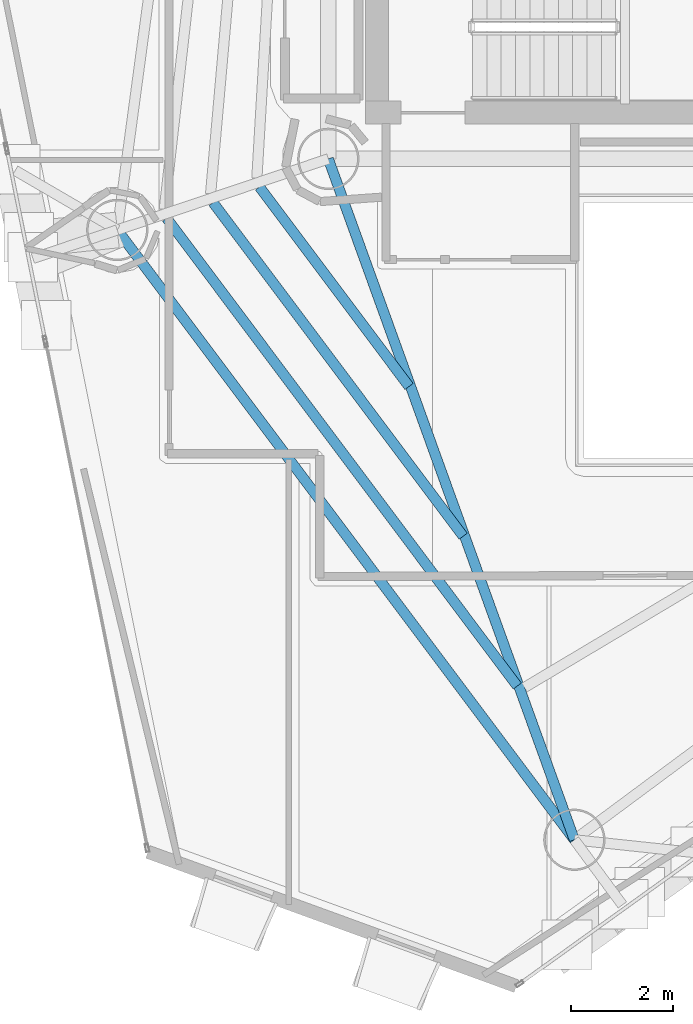
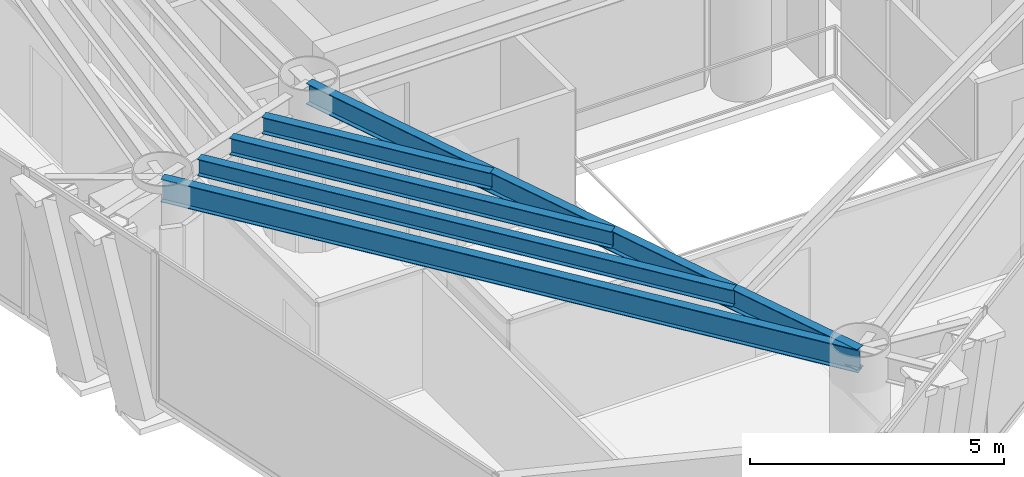
# One storey, part 5 of 22: 5 beams.
"""IFC4 building model written with IfcOpenShell, lengths in metres."""

from ifc_helpers import new_model, si_unit, direction, frame, origin, origin_2d, place, context, subcontext, project, spatial, i_section, extrude, material, material_profile, profile_set, type_object, element, save


model = new_model("IFC4")

# Units and contexts
model_context = context("Model", 3, precision=1e-05, world=origin(), true_north=direction((0.0, 1.0)))
body_context = subcontext(model_context, "Body", "Model", "MODEL_VIEW")
ifc_project = project(units=[si_unit("LENGTHUNIT", "METRE"), si_unit("AREAUNIT", "SQUARE_METRE"), si_unit("VOLUMEUNIT", "CUBIC_METRE"), si_unit("PLANEANGLEUNIT", "RADIAN"), si_unit("MASSUNIT", "GRAM", prefix="KILO")], contexts=[model_context])

# Site, building, storey
site_placement = place(None, origin())
site = spatial("IfcSite", under=ifc_project, at=site_placement, CompositionType="ELEMENT")
building_placement = place(site_placement, origin())
building = spatial("IfcBuilding", under=site, at=building_placement, Name="Qianvela Tower", CompositionType="ELEMENT")
storey_placement = place(building_placement, frame((0.0, 0.0, 204.0)))
storey = spatial("IfcBuildingStorey", under=building, at=storey_placement, Name="L52", CompositionType="ELEMENT", Elevation=204.0)

# Beams
ifc_material_1 = material(Name="Steel Q355B", Category="steel")
ifc_material_profile_1 = material_profile(ifc_material_1, i_section(OverallWidth=0.199951171875, OverallDepth=0.39990234375, WebThickness=0.008056640625, FlangeThickness=0.012939453125, at=origin_2d()), Name="HN400x200x8x13")
ifc_profile_set_1 = profile_set([ifc_material_profile_1], Name="Steel Q355B")
beam_type_1 = type_object("IfcBeamType", Name="BM-HN400-JOIST", PredefinedType="JOIST", material=ifc_profile_set_1)
beam_1_placement = place(storey_placement, frame((27.254150390625, 23.300537109375, 3.318115234375), z_axis=(0.599735620965, -0.800198216035, 0.0), x_axis=(0.800198216035, 0.599735620965, 0.0)))
element("IfcBeam", 1, at=beam_1_placement, inside=storey, type_object=beam_type_1, Name="L52 Secondary Composite Floor Joist 4.1", PredefinedType="JOIST", context=body_context, shape_type="SweptSolid", body=[
    extrude(i_section(OverallWidth=0.199951171875, OverallDepth=0.39990234375, WebThickness=0.008056640625, FlangeThickness=0.012939453125, at=origin_2d()), origin(), (0.0, 0.0, 1.0), 4.87646484375),
])
beam_2_placement = place(storey_placement, frame((26.345947265625, 22.994873046875, 3.318115234375), z_axis=(0.59975572356, -0.800183149071, 0.0), x_axis=(0.800183149071, 0.59975572356, 0.0)))
element("IfcBeam", 2, at=beam_2_placement, inside=storey, type_object=beam_type_1, Name="L52 Secondary Composite Floor Joist 4.2", PredefinedType="JOIST", context=body_context, shape_type="SweptSolid", body=[
    extrude(i_section(OverallWidth=0.199951171875, OverallDepth=0.39990234375, WebThickness=0.008056640625, FlangeThickness=0.012939453125, at=origin_2d()), origin(), (0.0, 0.0, 1.0), 8.156494140625),
])
beam_3_placement = place(storey_placement, frame((25.437744140625, 22.68896484375, 3.318115234375), z_axis=(0.599760871552, -0.800179290507, 0.0), x_axis=(0.800179290507, 0.599760871552, 0.0)))
element("IfcBeam", 3, at=beam_3_placement, inside=storey, type_object=beam_type_1, Name="L52 Secondary Composite Floor Joist 4.3", PredefinedType="JOIST", context=body_context, shape_type="SweptSolid", body=[
    extrude(i_section(OverallWidth=0.199951171875, OverallDepth=0.39990234375, WebThickness=0.008056640625, FlangeThickness=0.012939453125, at=origin_2d()), origin(), (0.0, 0.0, 1.0), 11.43603515625),
])
ifc_material_2 = material(Name="Steel Q355B", Category="steel")
ifc_material_profile_2 = material_profile(ifc_material_2, i_section(OverallWidth=0.199951171875, OverallDepth=0.5, WebThickness=0.010009765625, FlangeThickness=0.01611328125, at=origin_2d()), Name="HN500x200x10x16")
ifc_profile_set_2 = profile_set([ifc_material_profile_2], Name="Steel Q355B")
beam_type_2 = type_object("IfcBeamType", Name="BM-HN500-GIRD", PredefinedType="BEAM", material=ifc_profile_set_2)
beam_4_placement = place(storey_placement, frame((28.60009765625, 23.85009765625, 3.26806640625), z_axis=(0.339851607149, -0.940479072132, 0.0), x_axis=(0.940479072132, 0.339851607149, 0.0)))
element("IfcBeam", 4, at=beam_4_placement, inside=storey, type_object=beam_type_2, Name="L52 Radial Primary Floor Girder 5", PredefinedType="BEAM", context=body_context, shape_type="SweptSolid", body=[
    extrude(i_section(OverallWidth=0.199951171875, OverallDepth=0.5, WebThickness=0.010009765625, FlangeThickness=0.01611328125, at=origin_2d()), origin(), (0.0, 0.0, 1.0), 14.162109375),
])
ifc_material_3 = material(Name="Steel Q355B", Category="steel")
ifc_material_profile_3 = material_profile(ifc_material_3, i_section(OverallWidth=0.199951171875, OverallDepth=0.550048828125, WebThickness=0.010009765625, FlangeThickness=0.01611328125, at=origin_2d()), Name="HN550x200x10x16")
ifc_profile_set_3 = profile_set([ifc_material_profile_3], Name="Steel Q355B")
beam_type_3 = type_object("IfcBeamType", Name="BM-HN550-GIRD", PredefinedType="BEAM", material=ifc_profile_set_3)
beam_5_placement = place(storey_placement, frame((24.471923828125, 22.4599609375, 3.242919921875), z_axis=(0.599761529533, -0.800178797327, 0.0), x_axis=(0.800178797327, 0.599761529533, 0.0)))
element("IfcBeam", 5, at=beam_5_placement, inside=storey, type_object=beam_type_3, Name="L52 Perimeter Ring Spandrel Girder 4", PredefinedType="BEAM", context=body_context, shape_type="SweptSolid", body=[
    extrude(i_section(OverallWidth=0.199951171875, OverallDepth=0.550048828125, WebThickness=0.010009765625, FlangeThickness=0.01611328125, at=origin_2d()), origin(), (0.0, 0.0, 1.0), 14.907958984375),
])

save(model, "model.ifc")
